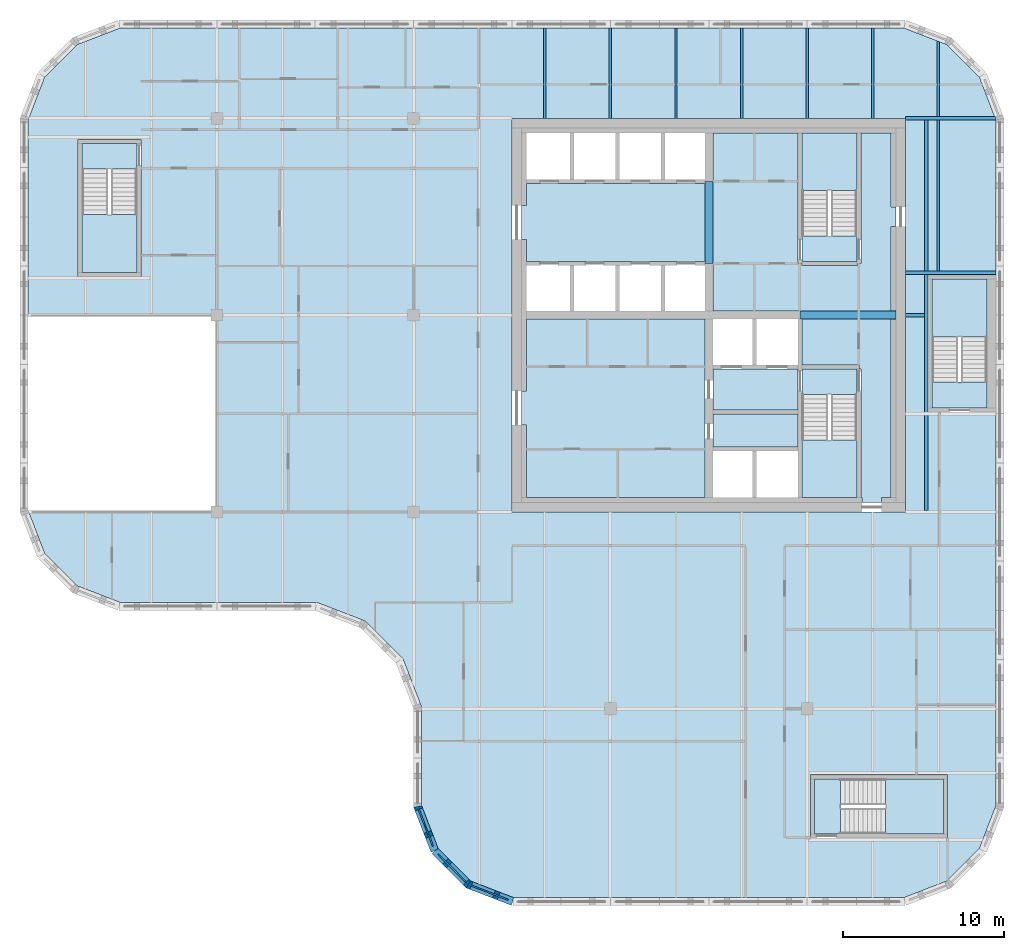
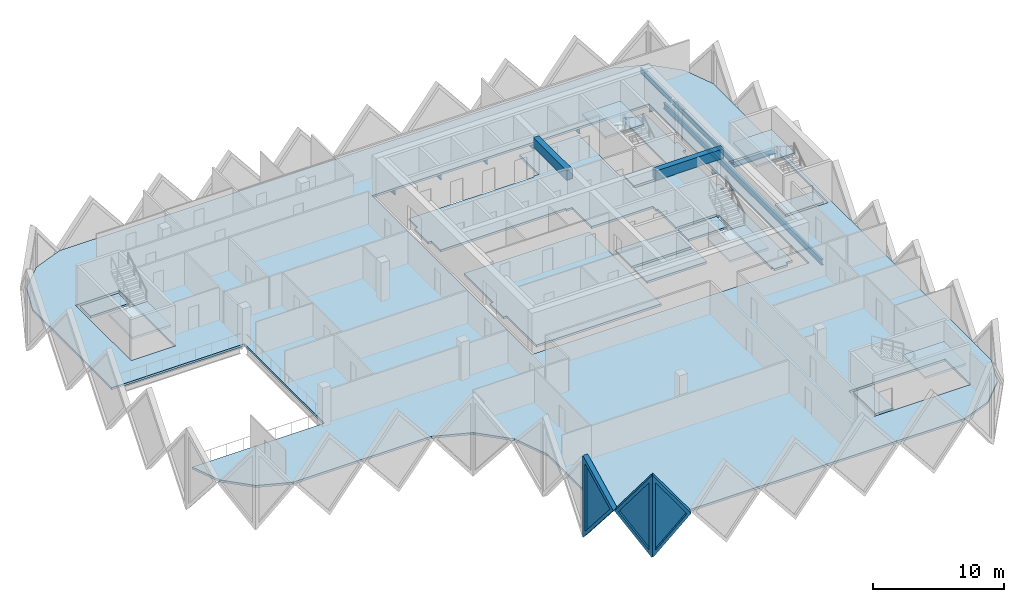
# One storey, part 2 of 11: 15 slabs, 14 beams, 3 plates, 3 walls, 3 openings, 5 elements without a shape of their own.
"""IFC4 building model written with IfcOpenShell, lengths in metres."""

from ifc_helpers import new_model, si_unit, direction, frame, origin, origin_2d, place, context, subcontext, project, spatial, polyline, rectangle, i_section, outline, extrude, faceted_brep, source, transform, mapped, material, layer, layer_set, material_profile, profile_set, type_object, element, fill, aggregate, save


model = new_model("IFC4")

# Units and contexts
model_context = context("Model", 3, precision=1e-05, world=origin(), true_north=direction((0.0, 1.0)))
body_context = subcontext(model_context, "Body", "Model", "MODEL_VIEW")
ifc_project = project(units=[si_unit("LENGTHUNIT", "METRE"), si_unit("AREAUNIT", "SQUARE_METRE"), si_unit("VOLUMEUNIT", "CUBIC_METRE"), si_unit("PLANEANGLEUNIT", "RADIAN"), si_unit("MASSUNIT", "GRAM", prefix="KILO")], contexts=[model_context])

# Site, building, storey
site_placement = place(None, origin())
site = spatial("IfcSite", under=ifc_project, at=site_placement, CompositionType="ELEMENT")
building_placement = place(site_placement, origin())
building = spatial("IfcBuilding", under=site, at=building_placement, Name="Tessera Gate Towers", CompositionType="ELEMENT")
storey_placement = place(building_placement, frame((0.0, 0.0, 174.39990234375)))
storey = spatial("IfcBuildingStorey", under=building, at=storey_placement, Name="L43", CompositionType="ELEMENT", Elevation=174.39990234375)

# Beams
ifc_material_1 = material(Name="Concrete C50/60", Category="concrete")
ifc_material_profile_1 = material_profile(ifc_material_1, rectangle(XDim=0.5, YDim=0.89990234375, at=origin_2d()), Name="RC 500x900")
ifc_profile_set_1 = profile_set([ifc_material_profile_1], Name="Concrete C50/60")
beam_type_1 = type_object("IfcBeamType", Name="COUPLING BEAM 500x900 C50/60", PredefinedType="BEAM", material=ifc_profile_set_1)
beam_1_placement = place(storey_placement, frame((48.35009765625, 36.60009765625, 3.150146484375), z_axis=(1.0, 0.0, 0.0), x_axis=(0.0, 1.0, 0.0)))
element("IfcBeam", 1, at=beam_1_placement, inside=storey, type_object=beam_type_1, Name="L43 coupling beam 1", PredefinedType="BEAM", context=body_context, shape_type="SweptSolid", body=[
    extrude(rectangle(XDim=0.5, YDim=0.89990234375, at=origin_2d()), origin(), (0.0, 0.0, 1.0), 5.949951171875),
])
beam_2_placement = place(storey_placement, frame((42.699951171875, 39.800048828125, 3.150146484375), z_axis=(0.0, 1.0, 0.0), x_axis=(-1.0, 0.0, 0.0)))
element("IfcBeam", 2, at=beam_2_placement, inside=storey, type_object=beam_type_1, Name="L43 coupling beam 2", PredefinedType="BEAM", context=body_context, shape_type="SweptSolid", body=[
    extrude(rectangle(XDim=0.5, YDim=0.89990234375, at=origin_2d()), origin(), (0.0, 0.0, 1.0), 5.099853515625),
])
ifc_material_2 = material(Name="Steel 350W", Category="steel")
ifc_material_profile_2 = material_profile(ifc_material_2, i_section(OverallWidth=0.208984375, OverallDepth=0.532958984375, WebThickness=0.01025390625, FlangeThickness=0.015625, at=origin_2d()), Name="W530x92")
ifc_profile_set_2 = profile_set([ifc_material_profile_2], Name="Steel 350W")
beam_type_2 = type_object("IfcBeamType", Name="FLOOR GIRDER W530x92", PredefinedType="BEAM", material=ifc_profile_set_2)
beam_3_placement = place(storey_placement, frame((54.89892578125, 36.60009765625, -0.46630859375), z_axis=(1.0, 0.0, 0.0), x_axis=(0.0, 1.0, 0.0)))
element("IfcBeam", 3, at=beam_3_placement, inside=storey, type_object=beam_type_2, Name="T1-GD-L43-4748", PredefinedType="BEAM", context=body_context, shape_type="SweptSolid", body=[
    extrude(i_section(OverallWidth=0.208984375, OverallDepth=0.532958984375, WebThickness=0.01025390625, FlangeThickness=0.015625, at=origin_2d()), origin(), (0.0, 0.0, 1.0), 1.176513671875),
])
beam_4_placement = place(storey_placement, frame((54.90087890625, 48.800048828125, -0.46630859375), z_axis=(1.0, 0.0, 0.0), x_axis=(0.0, 1.0, 0.0)))
element("IfcBeam", 4, at=beam_4_placement, inside=storey, type_object=beam_type_2, Name="T1-GD-L43-4752", PredefinedType="BEAM", context=body_context, shape_type="SweptSolid", body=[
    extrude(i_section(OverallWidth=0.208984375, OverallDepth=0.532958984375, WebThickness=0.01025390625, FlangeThickness=0.015625, at=origin_2d()), origin(), (0.0, 0.0, 1.0), 5.564208984375),
])
beam_5_placement = place(storey_placement, frame((54.89892578125, 39.219970703125, -0.46630859375), z_axis=(1.0, 0.0, 0.0), x_axis=(0.0, 1.0, 0.0)))
element("IfcBeam", 5, at=beam_5_placement, inside=storey, type_object=beam_type_2, Name="T1-GD-L43-4770", PredefinedType="BEAM", context=body_context, shape_type="SweptSolid", body=[
    extrude(i_section(OverallWidth=0.208984375, OverallDepth=0.532958984375, WebThickness=0.01025390625, FlangeThickness=0.015625, at=origin_2d()), origin(), (0.0, 0.0, 1.0), 5.60205078125),
])
beam_6_placement = place(storey_placement, frame((56.179931640625, 24.50439453125, -0.46630859375), z_axis=(0.0, 1.0, 0.0), x_axis=(-1.0, 0.0, 0.0)))
element("IfcBeam", 6, at=beam_6_placement, inside=storey, type_object=beam_type_2, Name="T1-GD-L43-4771", PredefinedType="BEAM", context=body_context, shape_type="SweptSolid", body=[
    extrude(i_section(OverallWidth=0.208984375, OverallDepth=0.532958984375, WebThickness=0.01025390625, FlangeThickness=0.015625, at=origin_2d()), origin(), (0.0, 0.0, 1.0), 24.191162109375),
])
ifc_material_3 = material(Name="Steel 350W", Category="steel")
ifc_material_profile_3 = material_profile(ifc_material_3, i_section(OverallWidth=0.153076171875, OverallDepth=0.455078125, WebThickness=0.008056640625, FlangeThickness=0.01318359375, at=origin_2d()), Name="W460x60")
ifc_profile_set_3 = profile_set([ifc_material_profile_3], Name="Steel 350W")
beam_type_3 = type_object("IfcBeamType", Name="FLOOR SECONDARY W460x60", PredefinedType="BEAM", material=ifc_profile_set_3)
for number, where, z_axis, x_axis, name in (
    (7, (32.533203125, 48.800048828125, -0.427490234375), (0.0, 1.0, 0.0), (-1.0, 0.0, 0.0), "T1-BM-L43-4793"),
    (8, (36.60009765625, 48.800048828125, -0.427490234375), (0.0, 1.0, 0.0), (-1.0, 0.0, 0.0), "T1-BM-L43-4794"),
    (9, (40.666748046875, 48.800048828125, -0.427490234375), (0.0, 1.0, 0.0), (-1.0, 0.0, 0.0), "T1-BM-L43-4797"),
    (10, (44.7333984375, 48.800048828125, -0.427490234375), (0.0, 1.0, 0.0), (-1.0, 0.0, 0.0), "T1-BM-L43-4800"),
    (11, (48.800048828125, 48.800048828125, -0.427490234375), (0.0, 1.0, 0.0), (-1.0, 0.0, 0.0), "T1-BM-L43-4801"),
    (12, (52.86669921875, 48.800048828125, -0.427490234375), (0.0, 1.0, 0.0), (-1.0, 0.0, 0.0), "T1-BM-L43-4805"),
):
    element("IfcBeam", number, at=place(storey_placement, frame(where, z_axis=z_axis, x_axis=x_axis)), inside=storey, type_object=beam_type_3, Name=name, PredefinedType="BEAM", context=body_context, shape_type="SweptSolid", body=[
        extrude(i_section(OverallWidth=0.153076171875, OverallDepth=0.455078125, WebThickness=0.008056640625, FlangeThickness=0.01318359375, at=origin_2d()), origin(), (0.0, 0.0, 1.0), 5.599853515625),
    ])
beam_7_placement = place(storey_placement, frame((56.933349609375, 39.324462890625, -0.427490234375), z_axis=(0.0, 1.0, 0.0), x_axis=(-1.0, 0.0, 0.0)))
element("IfcBeam", 13, at=beam_7_placement, inside=storey, type_object=beam_type_3, Name="T1-BM-L43-4810", PredefinedType="BEAM", context=body_context, shape_type="SweptSolid", body=[
    extrude(i_section(OverallWidth=0.153076171875, OverallDepth=0.455078125, WebThickness=0.008056640625, FlangeThickness=0.01318359375, at=origin_2d()), origin(), (0.0, 0.0, 1.0), 9.37109375),
])
beam_8_placement = place(storey_placement, frame((56.933349609375, 48.904541015625, -0.427490234375), z_axis=(0.0, 1.0, 0.0), x_axis=(-1.0, 0.0, 0.0)))
element("IfcBeam", 14, at=beam_8_placement, inside=storey, type_object=beam_type_3, Name="T1-BM-L43-4811", PredefinedType="BEAM", context=body_context, shape_type="SweptSolid", body=[
    extrude(i_section(OverallWidth=0.153076171875, OverallDepth=0.455078125, WebThickness=0.008056640625, FlangeThickness=0.01318359375, at=origin_2d()), origin(), (0.0, 0.0, 1.0), 4.675048828125),
])

# Slabs
ifc_material_4 = material(Name="Concrete C35/45", Category="concrete")
ifc_layer_1 = layer(ifc_material_4, 0.199951171875)
ifc_layer_set_1 = layer_set([ifc_layer_1], Name="COMPOSITE FLOOR 200")
slab_type_1 = type_object("IfcSlabType", Name="COMPOSITE FLOOR 200", PredefinedType="FLOOR", material=ifc_layer_set_1)
slab_1_placement = place(storey_placement, frame((0.0, 0.0, -0.199951171875)))
element("IfcSlab", 15, at=slab_1_placement, inside=storey, type_object=slab_type_1, Name="T1-L43", PredefinedType="FLOOR", context=body_context, shape_type="SweptSolid", body=[
    extrude(outline(polyline([(0.5, 36.60009765625), (12.199951171875, 36.60009765625), (12.199951171875, 24.39990234375), (0.535888671875, 24.39990234375), (1.526123046875, 21.8330078125), (3.533203125, 19.826171875), (6.193115234375, 18.800048828125), (18.39306640625, 18.800048828125), (21.42431640625, 17.630615234375), (23.730712890625, 15.32421875), (24.89990234375, 12.293212890625), (24.89990234375, 6.193115234375), (25.926025390625, 3.533203125), (27.93310546875, 1.526123046875), (30.593017578125, 0.5), (54.806884765625, 0.5), (57.466796875, 1.526123046875), (59.473876953125, 3.533203125), (60.5, 6.193115234375), (60.5, 48.706787109375), (59.473876953125, 51.366943359375), (57.466796875, 53.373779296875), (54.806884765625, 54.39990234375), (6.193115234375, 54.39990234375), (3.533203125, 53.373779296875), (1.526123046875, 51.366943359375), (0.5, 48.706787109375), (0.5, 36.60009765625)]), holes=[polyline([(3.60009765625, 39.0), (3.60009765625, 47.5), (7.5, 47.5), (7.5, 39.0), (3.60009765625, 39.0)]), polyline([(30.5, 24.39990234375), (30.5, 48.800048828125), (54.89990234375, 48.800048828125), (54.89990234375, 24.39990234375), (30.5, 24.39990234375)]), polyline([(49.0, 4.199951171875), (49.0, 8.10009765625), (57.5, 8.10009765625), (57.5, 4.199951171875), (49.0, 4.199951171875)]), polyline([(56.300048828125, 30.60009765625), (56.300048828125, 39.10009765625), (60.199951171875, 39.10009765625), (60.199951171875, 30.60009765625), (56.300048828125, 30.60009765625)])]), origin(), (0.0, 0.0, 1.0), 0.199951171875),
])
ifc_material_5 = material(Name="Concrete C35/45", Category="concrete")
ifc_layer_2 = layer(ifc_material_5, 0.199951171875)
ifc_layer_set_2 = layer_set([ifc_layer_2], Name="CORE FLOOR SLAB 200")
slab_type_2 = type_object("IfcSlabType", Name="CORE FLOOR SLAB 200", PredefinedType="FLOOR", material=ifc_layer_set_2)
slab_2_placement = place(storey_placement, frame((0.0, 0.0, -0.199951171875)))
element("IfcSlab", 16, at=slab_2_placement, inside=storey, type_object=slab_type_2, Name="L43 core floor slab", PredefinedType="FLOOR", context=body_context, shape_type="SweptSolid", body=[
    extrude(outline(polyline([(42.449951171875, 44.89990234375), (42.449951171875, 44.77490234375), (31.39990234375, 44.77490234375), (31.39990234375, 43.39990234375), (31.10009765625, 43.39990234375), (31.10009765625, 41.300048828125), (31.39990234375, 41.300048828125), (31.39990234375, 39.925048828125), (42.449951171875, 39.925048828125), (42.449951171875, 39.800048828125), (42.949951171875, 39.800048828125), (42.949951171875, 36.85009765625), (48.35009765625, 36.85009765625), (48.35009765625, 36.35009765625), (48.47509765625, 36.35009765625), (48.47509765625, 33.52490234375), (52.0, 33.52490234375), (52.0, 33.27490234375), (52.125, 33.27490234375), (52.125, 25.300048828125), (52.199951171875, 25.300048828125), (52.199951171875, 25.0), (53.39990234375, 25.0), (53.39990234375, 25.300048828125), (54.0, 25.300048828125), (54.0, 36.320068359375), (54.300048828125, 36.320068359375), (54.300048828125, 36.8798828125), (54.0, 36.8798828125), (54.0, 42.10009765625), (54.300048828125, 42.10009765625), (54.300048828125, 43.300048828125), (54.0, 43.300048828125), (54.0, 47.89990234375), (52.125, 47.89990234375), (52.125, 39.800048828125), (51.875, 39.800048828125), (51.875, 39.675048828125), (48.47509765625, 39.675048828125), (48.47509765625, 39.800048828125), (48.22509765625, 39.800048828125), (48.22509765625, 47.89990234375), (42.949951171875, 47.89990234375), (42.949951171875, 44.89990234375), (42.449951171875, 44.89990234375)])), origin(), (0.0, 0.0, 1.0), 0.199951171875),
])
slab_3_placement = place(storey_placement, frame((0.0, 0.0, -0.199951171875)))
element("IfcSlab", 17, at=slab_3_placement, inside=storey, type_object=slab_type_2, Name="L43 core floor slab", PredefinedType="FLOOR", context=body_context, shape_type="SweptSolid", body=[
    extrude(outline(polyline([(31.39990234375, 36.35009765625), (31.39990234375, 31.89990234375), (31.10009765625, 31.89990234375), (31.10009765625, 29.800048828125), (31.39990234375, 29.800048828125), (31.39990234375, 25.300048828125), (42.449951171875, 25.300048828125), (42.449951171875, 36.35009765625), (31.39990234375, 36.35009765625)])), origin(), (0.0, 0.0, 1.0), 0.199951171875),
])
slab_4_placement = place(storey_placement, frame((0.0, 0.0, -0.199951171875)))
element("IfcSlab", 18, at=slab_4_placement, inside=storey, type_object=slab_type_2, Name="L43 core floor slab", PredefinedType="FLOOR", context=body_context, shape_type="SweptSolid", body=[
    extrude(outline(polyline([(42.949951171875, 33.27490234375), (42.949951171875, 30.72509765625), (48.22509765625, 30.72509765625), (48.22509765625, 33.27490234375), (42.949951171875, 33.27490234375)])), origin(), (0.0, 0.0, 1.0), 0.199951171875),
])
slab_5_placement = place(storey_placement, frame((0.0, 0.0, -0.199951171875)))
element("IfcSlab", 19, at=slab_5_placement, inside=storey, type_object=slab_type_2, Name="L43 core floor slab", PredefinedType="FLOOR", context=body_context, shape_type="SweptSolid", body=[
    extrude(outline(polyline([(48.22509765625, 30.47509765625), (42.949951171875, 30.47509765625), (42.949951171875, 28.425048828125), (48.22509765625, 28.425048828125), (48.22509765625, 30.47509765625)])), origin(), (0.0, 0.0, 1.0), 0.199951171875),
])
slab_6_placement = place(storey_placement, frame((0.0, 0.0, -0.199951171875)))
element("IfcSlab", 20, at=slab_6_placement, inside=storey, type_object=slab_type_2, Name="L43 core floor slab", PredefinedType="FLOOR", context=body_context, shape_type="SweptSolid", body=[
    extrude(outline(polyline([(51.875, 31.675048828125), (51.875, 33.27490234375), (48.47509765625, 33.27490234375), (48.47509765625, 31.675048828125), (51.875, 31.675048828125)])), origin(), (0.0, 0.0, 1.0), 0.199951171875),
])
slab_7_placement = place(storey_placement, frame((0.0, 0.0, -0.199951171875)))
element("IfcSlab", 21, at=slab_7_placement, inside=storey, type_object=slab_type_2, Name="L43 core floor slab", PredefinedType="FLOOR", context=body_context, shape_type="SweptSolid", body=[
    extrude(outline(polyline([(48.47509765625, 41.52490234375), (48.47509765625, 39.925048828125), (51.875, 39.925048828125), (51.875, 41.52490234375), (48.47509765625, 41.52490234375)])), origin(), (0.0, 0.0, 1.0), 0.199951171875),
])
slab_8_placement = place(storey_placement, frame((0.0, 0.0, -0.199951171875)))
element("IfcSlab", 22, at=slab_8_placement, inside=storey, type_object=slab_type_2, Name="L43 ST3 floor landing", PredefinedType="FLOOR", context=body_context, shape_type="SweptSolid", body=[
    extrude(outline(polyline([(3.85009765625, 47.25), (3.85009765625, 45.64990234375), (7.25, 45.64990234375), (7.25, 47.25), (3.85009765625, 47.25)])), origin(), (0.0, 0.0, 1.0), 0.199951171875),
])
slab_9_placement = place(storey_placement, frame((0.0, 0.0, -0.199951171875)))
element("IfcSlab", 23, at=slab_9_placement, inside=storey, type_object=slab_type_2, Name="L43 ST4 floor landing", PredefinedType="FLOOR", context=body_context, shape_type="SweptSolid", body=[
    extrude(outline(polyline([(49.25, 4.449951171875), (50.85009765625, 4.449951171875), (50.85009765625, 7.85009765625), (49.25, 7.85009765625), (49.25, 4.449951171875)])), origin(), (0.0, 0.0, 1.0), 0.199951171875),
])
slab_10_placement = place(storey_placement, frame((0.0, 0.0, -0.199951171875)))
element("IfcSlab", 24, at=slab_10_placement, inside=storey, type_object=slab_type_2, Name="L43 ST5 floor landing", PredefinedType="FLOOR", context=body_context, shape_type="SweptSolid", body=[
    extrude(outline(polyline([(59.949951171875, 30.85009765625), (59.949951171875, 32.449951171875), (56.550048828125, 32.449951171875), (56.550048828125, 30.85009765625), (59.949951171875, 30.85009765625)])), origin(), (0.0, 0.0, 1.0), 0.199951171875),
])

# Stair, slab
ifc_material_6 = material(Name="Concrete C40/50", Category="concrete")
stair_type_1 = type_object("IfcStairType", Name="EXIT STAIR ST1 1600", PredefinedType="HALF_TURN_STAIR", material=ifc_material_6)
stair_1_placement = place(storey_placement, origin())
stair_1 = element("IfcStair", 25, at=stair_1_placement, inside=storey, type_object=stair_type_1, Name="L43 Protected Exit Stair ST1", PredefinedType="HALF_TURN_STAIR")
ifc_material_7 = material(Name="Concrete C40/50", Category="concrete")
ifc_layer_3 = layer(ifc_material_7, 0.199951171875)
ifc_layer_set_3 = layer_set([ifc_layer_3], Name="EXIT STAIR LANDING 200")
slab_type_3 = type_object("IfcSlabType", Name="EXIT STAIR LANDING 200", PredefinedType="LANDING", material=ifc_layer_set_3)
slab_11_placement = place(storey_placement, frame((0.0, 0.0, 1.7001953125)))
slab_11 = element("IfcSlab", 26, at=slab_11_placement, type_object=slab_type_3, Name="ST1 landing 1", PredefinedType="LANDING", context=body_context, shape_type="SweptSolid", body=[
    extrude(outline(polyline([(48.47509765625, 28.875), (48.47509765625, 25.300048828125), (51.875, 25.300048828125), (51.875, 28.875), (48.47509765625, 28.875)])), origin(), (0.0, 0.0, 1.0), 0.199951171875),
])
aggregate(stair_1, [slab_11])

ifc_material_8 = material(Name="Concrete C40/50", Category="concrete")
stair_type_2 = type_object("IfcStairType", Name="EXIT STAIR ST2 1600", PredefinedType="HALF_TURN_STAIR", material=ifc_material_8)
stair_2_placement = place(storey_placement, origin())
stair_2 = element("IfcStair", 27, at=stair_2_placement, inside=storey, type_object=stair_type_2, Name="L43 Protected Exit Stair ST2", PredefinedType="HALF_TURN_STAIR")
slab_12_placement = place(storey_placement, frame((0.0, 0.0, 1.7001953125)))
slab_12 = element("IfcSlab", 28, at=slab_12_placement, type_object=slab_type_3, Name="ST2 landing 1", PredefinedType="LANDING", context=body_context, shape_type="SweptSolid", body=[
    extrude(outline(polyline([(51.875, 44.324951171875), (51.875, 47.89990234375), (48.47509765625, 47.89990234375), (48.47509765625, 44.324951171875), (51.875, 44.324951171875)])), origin(), (0.0, 0.0, 1.0), 0.199951171875),
])
aggregate(stair_2, [slab_12])

ifc_material_9 = material(Name="Concrete C40/50", Category="concrete")
stair_type_3 = type_object("IfcStairType", Name="EXIT STAIR ST3 1600", PredefinedType="HALF_TURN_STAIR", material=ifc_material_9)
stair_3_placement = place(storey_placement, origin())
stair_3 = element("IfcStair", 29, at=stair_3_placement, inside=storey, type_object=stair_type_3, Name="L43 West Exit Stair ST3", PredefinedType="HALF_TURN_STAIR")
slab_13_placement = place(storey_placement, frame((0.0, 0.0, 1.7001953125)))
slab_13 = element("IfcSlab", 30, at=slab_13_placement, type_object=slab_type_3, Name="ST3 landing 1", PredefinedType="LANDING", context=body_context, shape_type="SweptSolid", body=[
    extrude(outline(polyline([(3.85009765625, 42.85009765625), (3.85009765625, 39.25), (7.25, 39.25), (7.25, 42.85009765625), (3.85009765625, 42.85009765625)])), origin(), (0.0, 0.0, 1.0), 0.199951171875),
])
aggregate(stair_3, [slab_13])

ifc_material_10 = material(Name="Concrete C40/50", Category="concrete")
stair_type_4 = type_object("IfcStairType", Name="EXIT STAIR ST4 1600", PredefinedType="HALF_TURN_STAIR", material=ifc_material_10)
stair_4_placement = place(storey_placement, origin())
stair_4 = element("IfcStair", 31, at=stair_4_placement, inside=storey, type_object=stair_type_4, Name="L43 South Exit Stair ST4", PredefinedType="HALF_TURN_STAIR")
slab_14_placement = place(storey_placement, frame((0.0, 0.0, 1.7001953125)))
slab_14 = element("IfcSlab", 32, at=slab_14_placement, type_object=slab_type_3, Name="ST4 landing 1", PredefinedType="LANDING", context=body_context, shape_type="SweptSolid", body=[
    extrude(outline(polyline([(53.64990234375, 4.449951171875), (57.25, 4.449951171875), (57.25, 7.85009765625), (53.64990234375, 7.85009765625), (53.64990234375, 4.449951171875)])), origin(), (0.0, 0.0, 1.0), 0.199951171875),
])
aggregate(stair_4, [slab_14])

ifc_material_11 = material(Name="Concrete C40/50", Category="concrete")
stair_type_5 = type_object("IfcStairType", Name="EXIT STAIR ST5 1600", PredefinedType="HALF_TURN_STAIR", material=ifc_material_11)
stair_5_placement = place(storey_placement, origin())
stair_5 = element("IfcStair", 33, at=stair_5_placement, inside=storey, type_object=stair_type_5, Name="L43 East Exit Stair ST5", PredefinedType="HALF_TURN_STAIR")
slab_15_placement = place(storey_placement, frame((0.0, 0.0, 1.7001953125)))
slab_15 = element("IfcSlab", 34, at=slab_15_placement, type_object=slab_type_3, Name="ST5 landing 1", PredefinedType="LANDING", context=body_context, shape_type="SweptSolid", body=[
    extrude(outline(polyline([(59.949951171875, 35.25), (59.949951171875, 38.85009765625), (56.550048828125, 38.85009765625), (56.550048828125, 35.25), (59.949951171875, 35.25)])), origin(), (0.0, 0.0, 1.0), 0.199951171875),
])
aggregate(stair_5, [slab_15])

# Wall, opening, plate
ifc_material_12 = material(Name="Precast concrete C60/75 white", Category="concrete")
ifc_layer_4 = layer(ifc_material_12, 0.5)
ifc_layer_set_4 = layer_set([ifc_layer_4], Name="TS3 corner tessera")
wall_type = type_object("IfcWallType", Name="TS3 corner tessera", PredefinedType="SOLIDWALL", material=ifc_layer_set_4)
shared_shape_1 = source(origin(), body_context, "Body", "Brep", [
    faceted_brep([(0.046630859375, -0.25, 0.0), (2.9970703125, -0.25, 3.7998046875), (0.046630859375, -0.25, 7.599853515625), (0.0, -0.25, 7.541015625), (0.0, -0.25, 0.058837890625), (0.09326171875, 0.25, 7.539794921875), (2.9443359375, 0.25, 3.867919921875), (2.9443359375, 0.25, 3.731689453125), (0.09326171875, 0.25, 0.06005859375), (2.9970703125, 0.00048828125, 3.7998046875), (0.046630859375, 0.0, 0.0), (0.046630859375, 0.0, 7.599853515625)], [[[0, 1, 2, 3, 4]], [[5, 6, 7, 8]], [[8, 7, 9, 1, 0, 10]], [[6, 5, 11, 2, 1, 9]], [[3, 2, 11]], [[10, 0, 4]], [[8, 10, 4, 3, 11, 5]], [[9, 7, 6]]]),
])
wall_1_placement = place(storey_placement, frame((24.63330078125, 6.18994140625, -3.7998046875), z_axis=(0.0, 0.0, 1.0), x_axis=(0.359901446078, -0.932990326376, 0.0)))
wall_1 = element("IfcWall", 35, at=wall_1_placement, inside=storey, type_object=wall_type, Name="Precast corner tessera T1 TS3-1006", PredefinedType="SOLIDWALL", context=body_context, shape_type="MappedRepresentation", body=[
    mapped(shared_shape_1, transform((0.0, 0.0, 0.0), scale=1.0)),
])
shared_shape_2 = source(origin(), body_context, "Body", "SweptSolid", [
    extrude(outline(polyline([(0.24658203125, 0.6650390625), (2.6806640625, 3.7998046875), (0.24658203125, 6.9345703125), (0.24658203125, 0.6650390625)])), frame((0.0, 0.260009765625, 0.0), z_axis=(0.0, -1.0, 0.0), x_axis=(1.0, 0.0, 0.0)), (0.0, 0.0, 1.0), 0.52001953125),
])
opening_1_placement = place(wall_1_placement, origin())
opening_1 = element("IfcOpeningElement", 36, at=opening_1_placement, cuts=wall_1, Name="Opening T1-PL2-1548", PredefinedType="OPENING", context=body_context, shape_type="MappedRepresentation", body=[
    mapped(shared_shape_2, transform((0.0, 0.0, 0.0), scale=1.0)),
])
ifc_material_13 = material(Name="Low-e laminated glass", Category="glass")
ifc_layer_5 = layer(ifc_material_13, 0.06005859375)
ifc_layer_set_5 = layer_set([ifc_layer_5], Name="PL2 rhombic pane")
plate_type = type_object("IfcPlateType", Name="PL2 rhombic pane", PredefinedType="SHEET", material=ifc_layer_set_5)
shared_shape_3 = source(origin(), body_context, "Body", "SweptSolid", [
    extrude(outline(polyline([(0.24658203125, 0.6650390625), (2.6806640625, 3.7998046875), (0.24658203125, 6.9345703125), (0.24658203125, 0.6650390625)])), frame((0.0, 0.030029296875, 0.0), z_axis=(0.0, -1.0, 0.0), x_axis=(1.0, 0.0, 0.0)), (0.0, 0.0, 1.0), 0.06005859375),
])
plate_1_placement = place(opening_1_placement, origin())
plate_1 = element("IfcPlate", 37, at=plate_1_placement, inside=storey, type_object=plate_type, Name="Glass pane T1 PL2-1548", PredefinedType="SHEET", context=body_context, shape_type="MappedRepresentation", body=[
    mapped(shared_shape_3, transform((0.0, 0.0, 0.0), scale=1.0)),
])
fill(opening_1, plate_1)

shared_shape_4 = source(origin(), body_context, "Body", "Brep", [
    faceted_brep([(2.944091796875, -0.25, 0.0), (2.9970703125, -0.25, 0.068115234375), (2.9970703125, -0.25, 7.53173828125), (2.944091796875, -0.25, 7.599853515625), (0.0, -0.25, 3.7998046875), (0.052978515625, 0.25, 3.8681640625), (2.89111328125, 0.25, 7.53173828125), (2.89111328125, 0.25, 0.068115234375), (0.052978515625, 0.25, 3.7314453125), (2.944091796875, 0.000244140625, 0.0), (2.944091796875, 0.000244140625, 7.599853515625), (0.0, 0.0, 3.7998046875)], [[[0, 1, 2, 3, 4]], [[5, 6, 7, 8]], [[1, 0, 9]], [[10, 3, 2]], [[6, 5, 11, 4, 3, 10]], [[8, 7, 9, 0, 4, 11]], [[8, 11, 5]], [[1, 9, 7, 6, 10, 2]]]),
])
wall_2_placement = place(storey_placement, frame((25.7119140625, 3.393798828125, -3.7998046875), z_axis=(0.0, 0.0, 1.0), x_axis=(0.707066050402, -0.707147509625, 0.0)))
wall_2 = element("IfcWall", 38, at=wall_2_placement, inside=storey, type_object=wall_type, Name="Precast corner tessera T1 TS3-1007", PredefinedType="SOLIDWALL", context=body_context, shape_type="MappedRepresentation", body=[
    mapped(shared_shape_4, transform((0.0, 0.0, 0.0), scale=1.0)),
])
shared_shape_5 = source(origin(), body_context, "Body", "SweptSolid", [
    extrude(outline(polyline([(2.744140625, 6.93359375), (0.316162109375, 3.7998046875), (2.744140625, 0.666259765625), (2.744140625, 6.93359375)])), frame((0.0, 0.260009765625, 0.0), z_axis=(0.0, -1.0, 0.0), x_axis=(1.0, 0.0, 0.0)), (0.0, 0.0, 1.0), 0.52001953125),
])
opening_2_placement = place(wall_2_placement, origin())
opening_2 = element("IfcOpeningElement", 39, at=opening_2_placement, cuts=wall_2, Name="Opening T1-PL2-1549", PredefinedType="OPENING", context=body_context, shape_type="MappedRepresentation", body=[
    mapped(shared_shape_5, transform((0.0, 0.0, 0.0), scale=1.0)),
])
shared_shape_6 = source(origin(), body_context, "Body", "SweptSolid", [
    extrude(outline(polyline([(2.744140625, 6.93359375), (0.316162109375, 3.7998046875), (2.744140625, 0.666259765625), (2.744140625, 6.93359375)])), frame((0.0, 0.030029296875, 0.0), z_axis=(0.0, -1.0, 0.0), x_axis=(1.0, 0.0, 0.0)), (0.0, 0.0, 1.0), 0.06005859375),
])
plate_2_placement = place(opening_2_placement, origin())
plate_2 = element("IfcPlate", 40, at=plate_2_placement, inside=storey, type_object=plate_type, Name="Glass pane T1 PL2-1549", PredefinedType="SHEET", context=body_context, shape_type="MappedRepresentation", body=[
    mapped(shared_shape_6, transform((0.0, 0.0, 0.0), scale=1.0)),
])
fill(opening_2, plate_2)

shared_shape_7 = source(origin(), body_context, "Body", "Brep", [
    faceted_brep([(0.052978515625, -0.25, 0.0), (3.00341796875, -0.25, 3.7998046875), (0.052978515625, -0.25, 7.599853515625), (0.0, -0.25, 7.531494140625), (0.0, -0.25, 0.068359375), (0.10595703125, 0.25, 7.53173828125), (2.95703125, 0.25, 3.859619140625), (2.95703125, 0.25, 3.739990234375), (0.10595703125, 0.25, 0.068115234375), (3.00341796875, 0.00048828125, 3.7998046875), (0.052978515625, 0.0, 0.0), (0.052978515625, 0.0, 7.599853515625)], [[[0, 1, 2, 3, 4]], [[5, 6, 7, 8]], [[8, 7, 9, 1, 0, 10]], [[6, 5, 11, 2, 1, 9]], [[3, 2, 11]], [[10, 0, 4]], [[8, 10, 4, 3, 11, 5]], [[9, 7, 6]]]),
])
wall_3_placement = place(storey_placement, frame((27.744384765625, 1.3310546875, -3.7998046875), z_axis=(0.0, 0.0, 1.0), x_axis=(0.932970071518, -0.359953949349, 0.0)))
wall_3 = element("IfcWall", 41, at=wall_3_placement, inside=storey, type_object=wall_type, Name="Precast corner tessera T1 TS3-1008", PredefinedType="SOLIDWALL", context=body_context, shape_type="MappedRepresentation", body=[
    mapped(shared_shape_7, transform((0.0, 0.0, 0.0), scale=1.0)),
])
shared_shape_8 = source(origin(), body_context, "Body", "SweptSolid", [
    extrude(outline(polyline([(0.2529296875, 0.6650390625), (2.68701171875, 3.7998046875), (0.2529296875, 6.9345703125), (0.2529296875, 0.6650390625)])), frame((0.0, 0.260009765625, 0.0), z_axis=(0.0, -1.0, 0.0), x_axis=(1.0, 0.0, 0.0)), (0.0, 0.0, 1.0), 0.52001953125),
])
opening_3_placement = place(wall_3_placement, origin())
opening_3 = element("IfcOpeningElement", 42, at=opening_3_placement, cuts=wall_3, Name="Opening T1-PL2-1550", PredefinedType="OPENING", context=body_context, shape_type="MappedRepresentation", body=[
    mapped(shared_shape_8, transform((0.0, 0.0, 0.0), scale=1.0)),
])
shared_shape_9 = source(origin(), body_context, "Body", "SweptSolid", [
    extrude(outline(polyline([(0.2529296875, 0.6650390625), (2.68701171875, 3.7998046875), (0.2529296875, 6.9345703125), (0.2529296875, 0.6650390625)])), frame((0.0, 0.030029296875, 0.0), z_axis=(0.0, -1.0, 0.0), x_axis=(1.0, 0.0, 0.0)), (0.0, 0.0, 1.0), 0.06005859375),
])
plate_3_placement = place(opening_3_placement, origin())
plate_3 = element("IfcPlate", 43, at=plate_3_placement, inside=storey, type_object=plate_type, Name="Glass pane T1 PL2-1550", PredefinedType="SHEET", context=body_context, shape_type="MappedRepresentation", body=[
    mapped(shared_shape_9, transform((0.0, 0.0, 0.0), scale=1.0)),
])
fill(opening_3, plate_3)

save(model, "model.ifc")
